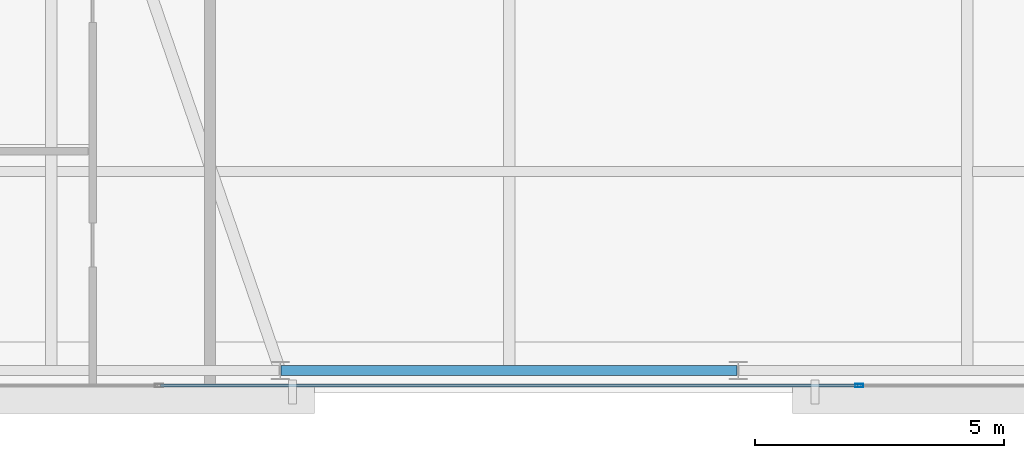
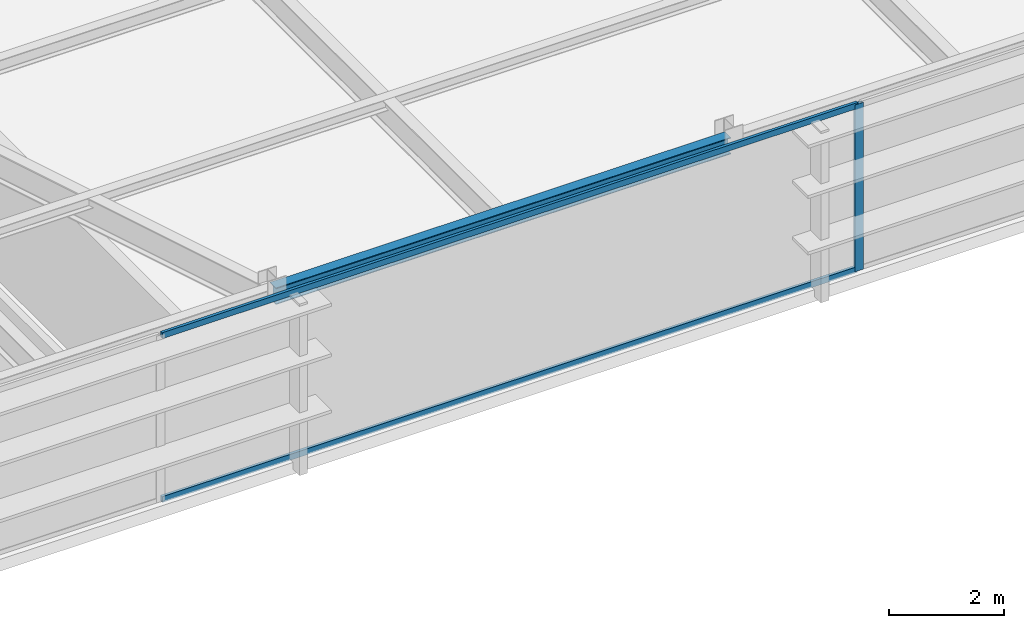
# One storey, part 7 of 26: 3 members, 1 beam, 1 element without a shape of its own.
"""IFC4 building model written with IfcOpenShell, lengths in metres."""

from ifc_helpers import new_model, si_unit, direction, frame, origin, origin_2d, place, context, subcontext, project, spatial, hollow_rectangle, i_section, extrude, source, transform, mapped, material, layer, layer_set, material_profile, profile_set, type_object, type_shapes, element, aggregate, save


model = new_model("IFC4")

# Units and contexts
model_context = context("Model", 3, precision=1e-05, world=origin(), true_north=direction((0.0, 1.0)))
body_context = subcontext(model_context, "Body", "Model", "MODEL_VIEW")
ifc_project = project(units=[si_unit("LENGTHUNIT", "METRE"), si_unit("AREAUNIT", "SQUARE_METRE"), si_unit("VOLUMEUNIT", "CUBIC_METRE"), si_unit("PLANEANGLEUNIT", "RADIAN"), si_unit("MASSUNIT", "GRAM", prefix="KILO")], contexts=[model_context])

# Site, building, storey
site_placement = place(None, origin())
site = spatial("IfcSite", under=ifc_project, at=site_placement, CompositionType="ELEMENT")
building_placement = place(site_placement, origin())
building = spatial("IfcBuilding", under=site, at=building_placement, Name="Varnel Quay Broadcast Tower", CompositionType="ELEMENT")
storey_placement = place(building_placement, frame((0.0, 0.0, 218.800048828125)))
storey = spatial("IfcBuildingStorey", under=building, at=storey_placement, Name="L54", CompositionType="ELEMENT", Elevation=218.800048828125)

# Beam
ifc_material_1 = material(Name="Structural Steel CSA G40.21 350W", Category="steel")
ifc_material_profile_1 = material_profile(ifc_material_1, i_section(OverallWidth=0.205078125, OverallDepth=0.35400390625, WebThickness=0.009521484375, FlangeThickness=0.016845703125, FilletRadius=0.012939453125, at=origin_2d()), Name="W360X79")
ifc_profile_set_1 = profile_set([ifc_material_profile_1], Name="Structural Steel CSA G40.21 350W")
beam_type = type_object("IfcBeamType", Name="Beam_W360X79", PredefinedType="SPANDREL", material=ifc_profile_set_1)
shared_shape_1 = source(origin(), body_context, "Body", "SweptSolid", [
    extrude(i_section(OverallWidth=0.205078125, OverallDepth=0.35400390625, WebThickness=0.009521484375, FlangeThickness=0.016845703125, FilletRadius=0.012939453125, at=origin_2d()), origin(), (0.0, 0.0, 1.0), 9.16015625),
])
type_shapes(beam_type, [shared_shape_1])
beam_placement = place(storey_placement, frame((29.419921875, 10.64990234375, 3.373046875), z_axis=(1.0, 0.0, 0.0), x_axis=(0.0, 1.0, 0.0)))
element("IfcBeam", 1, at=beam_placement, inside=storey, type_object=beam_type, Name="L54 South Spandrel TC-S2-TC-S3", PredefinedType="SPANDREL", context=body_context, shape_type="MappedRepresentation", body=[
    mapped(shared_shape_1, transform((0.0, 0.0, 0.0), x_axis=(1.0, 0.0, 0.0), y_axis=(0.0, 1.0, 0.0), z_axis=(0.0, 0.0, 1.0), scale=1.0)),
])

# Curtain wall, members
ifc_material_2 = material(Name="Anodised Bronze Aluminium 6063-T6", Category="aluminium")
ifc_layer = layer(ifc_material_2, 0.18994140625, Name="Anodised Bronze Aluminium 6063-T6")
ifc_layer_set = layer_set([ifc_layer], Name="Anodised Bronze Aluminium 6063-T6")
curtain_wall_type = type_object("IfcCurtainWallType", Name="CW_UpperTower", PredefinedType="NOTDEFINED", material=ifc_layer_set)
curtain_wall_placement = place(storey_placement, origin())
curtain_wall = element("IfcCurtainWall", 2, at=curtain_wall_placement, inside=storey, type_object=curtain_wall_type, Name="L54 South Unitised Curtain Wall 1", PredefinedType="NOTDEFINED")
ifc_material_profile_2 = material_profile(ifc_material_2, hollow_rectangle(XDim=0.06494140625, YDim=0.1650390625, WallThickness=0.00341796875, at=origin_2d()), Name="ALU65X165X3.5")
ifc_profile_set_2 = profile_set([ifc_material_profile_2], Name="Anodised Bronze Aluminium 6063-T6")
member_type_1 = type_object("IfcMemberType", Name="Mull_CWS-03", PredefinedType="MULLION", material=ifc_profile_set_2)
shared_shape_2 = source(origin(), body_context, "Body", "SweptSolid", [
    extrude(hollow_rectangle(XDim=0.06494140625, YDim=0.1650390625, WallThickness=0.00341796875, at=origin_2d()), origin(), (0.0, 0.0, 1.0), 3.550048828125),
])
type_shapes(member_type_1, [shared_shape_2])
member_1_placement = place(storey_placement, frame((41.033447265625, 10.35009765625, 0.0), z_axis=(0.0, 0.0, 1.0), x_axis=(0.0, 1.0, 0.0)))
member_1 = element("IfcMember", 3, at=member_1_placement, type_object=member_type_1, Name="CWS-03 mullion 3", PredefinedType="MULLION", context=body_context, shape_type="MappedRepresentation", body=[
    mapped(shared_shape_2, transform((0.0, 0.0, 0.0), x_axis=(1.0, 0.0, 0.0), y_axis=(0.0, 1.0, 0.0), z_axis=(0.0, 0.0, 1.0), scale=1.0)),
])
ifc_material_profile_3 = material_profile(ifc_material_2, hollow_rectangle(XDim=0.06005859375, YDim=0.125, WallThickness=0.0029296875, at=origin_2d()), Name="ALU60X125X3")
ifc_profile_set_3 = profile_set([ifc_material_profile_3], Name="Anodised Bronze Aluminium 6063-T6")
member_type_2 = type_object("IfcMemberType", Name="Tran_CWS-03", PredefinedType="USERDEFINED", material=ifc_profile_set_3)
shared_shape_3 = source(origin(), body_context, "Body", "SweptSolid", [
    extrude(hollow_rectangle(XDim=0.06005859375, YDim=0.125, WallThickness=0.0029296875, at=origin_2d()), origin(), (0.0, 0.0, 1.0), 14.00146484375),
])
type_shapes(member_type_2, [shared_shape_3])
member_2_placement = place(storey_placement, frame((26.999267578125, 10.35009765625, 0.030029296875), z_axis=(1.0, 0.0, 0.0), x_axis=(0.0, 1.0, 0.0)))
member_2 = element("IfcMember", 4, at=member_2_placement, type_object=member_type_2, Name="CWS-03 transom 2.1", ObjectType="TRANSOM", PredefinedType="USERDEFINED", context=body_context, shape_type="MappedRepresentation", body=[
    mapped(shared_shape_3, transform((0.0, 0.0, 0.0), x_axis=(1.0, 0.0, 0.0), y_axis=(0.0, 1.0, 0.0), z_axis=(0.0, 0.0, 1.0), scale=1.0)),
])
member_3_placement = place(storey_placement, frame((26.999267578125, 10.35009765625, 3.52001953125), z_axis=(1.0, 0.0, 0.0), x_axis=(0.0, 1.0, 0.0)))
member_3 = element("IfcMember", 5, at=member_3_placement, type_object=member_type_2, Name="CWS-03 transom 2.2", ObjectType="TRANSOM", PredefinedType="USERDEFINED", context=body_context, shape_type="MappedRepresentation", body=[
    mapped(shared_shape_3, transform((0.0, 0.0, 0.0), x_axis=(1.0, 0.0, 0.0), y_axis=(0.0, 1.0, 0.0), z_axis=(0.0, 0.0, 1.0), scale=1.0)),
])
aggregate(curtain_wall, [member_1, member_2, member_3])

save(model, "model.ifc")
